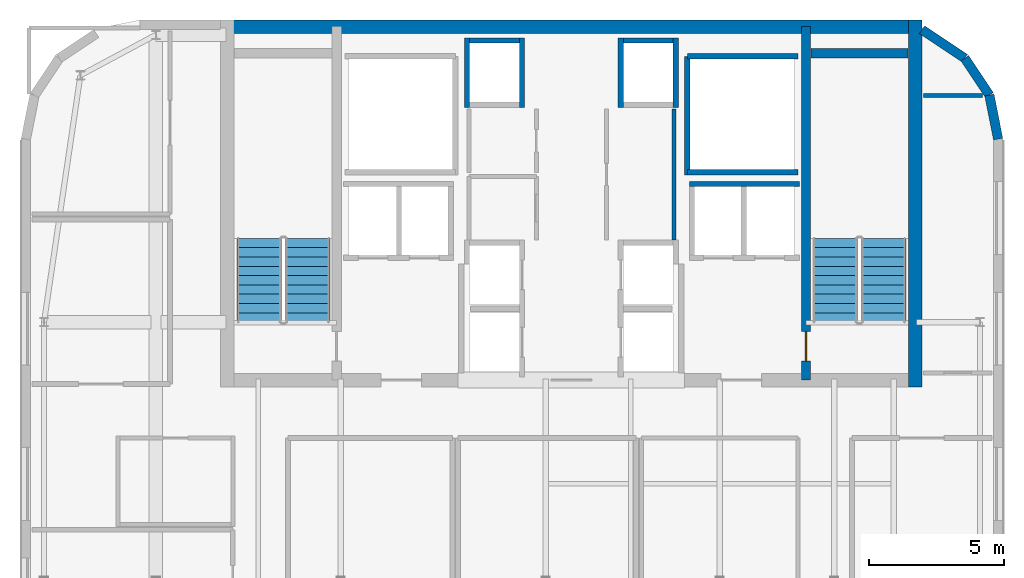
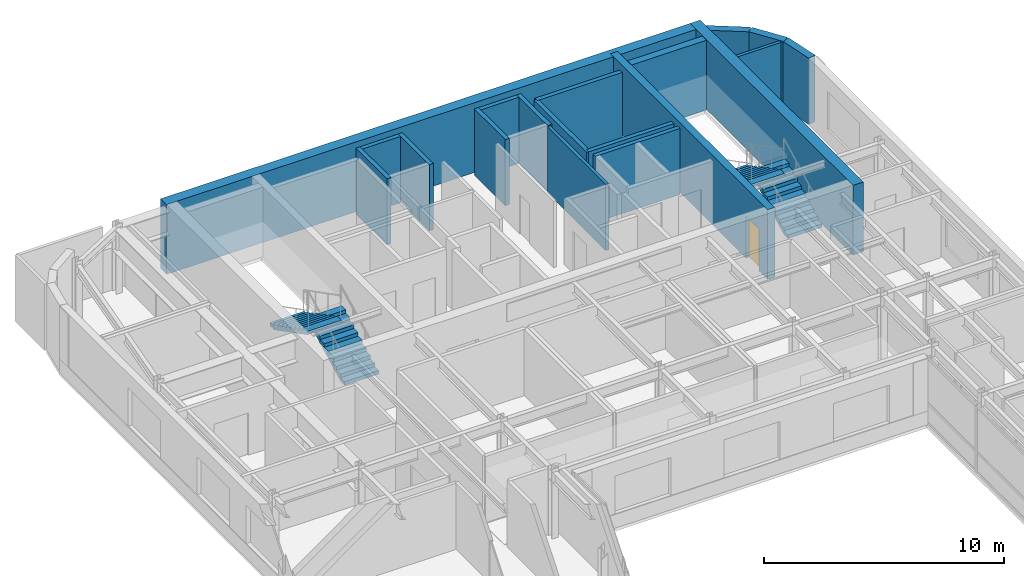
# One storey, part 17 of 21: 19 walls, 4 stair flights, 1 door, 1 opening, 2 elements without a shape of their own.
"""IFC4 building model written with IfcOpenShell, lengths in metres."""

import ifcopenshell
import ifcopenshell.guid

model = None  # the IFC model being written
_history = None  # IfcOwnerHistory: only IFC2X3 demands one
_inside = {}  # id of a spatial element -> (the spatial element, [elements in it])
_under = {}  # id of a project, library or spatial element -> (it, [spatial elements below it])
_declared = {}  # id of a project -> (the project, [libraries it declares])
_typed = {}  # id of a type object -> (the type object, [elements of that type])
_made_of = {}  # id of a material, layer set ... -> (it, [elements and type objects made of it])


def new_model(schema):
    """Start an empty IFC model of exactly this schema.

    Asked for "IFC4X3", IfcOpenShell would pick the latest addendum, in which some entities
    have other attributes; the version numbers below select the first issue.
    IFC2X3 requires an IfcOwnerHistory on every rooted entity: one is made here for all.
    """
    global model, _history
    if schema == "IFC4X3":
        model = ifcopenshell.file(schema_version=(4, 3, 0, 0))
    else:
        model = ifcopenshell.file(schema=schema)
    _inside.clear()
    _under.clear()
    _declared.clear()
    _typed.clear()
    _made_of.clear()
    _history = None
    if model.schema == "IFC2X3":
        org = make("IfcOrganization", Name="unknown")
        user = make(
            "IfcPersonAndOrganization",
            ThePerson=make("IfcPerson", FamilyName="unknown"),
            TheOrganization=org,
        )
        app = make(
            "IfcApplication",
            ApplicationDeveloper=org,
            Version="unknown",
            ApplicationFullName="unknown",
            ApplicationIdentifier="unknown",
        )
        _history = make(
            "IfcOwnerHistory",
            OwningUser=user,
            OwningApplication=app,
            ChangeAction="ADDED",
            CreationDate=0,
        )
    return model


def make(cls, **values):
    """One entity of the class cls with the attributes given. An attribute that is None is left unset."""
    return model.create_entity(
        cls, **{name: value for name, value in values.items() if value is not None}
    )


def rooted(cls, **values):
    """An entity with a GlobalId (a new one), such as an element, a storey or a relation."""
    return make(cls, GlobalId=ifcopenshell.guid.new(), OwnerHistory=_history, **values)


def si_unit(unit_type, name, prefix=None):
    """IfcSIUnit, for example si_unit("LENGTHUNIT", "METRE", prefix="MILLI")."""
    return make("IfcSIUnit", UnitType=unit_type, Prefix=prefix, Name=name)


def assignment(units):
    """IfcUnitAssignment: the units of a project."""
    return None if units is None else make("IfcUnitAssignment", Units=units)


def point(xyz):
    """IfcCartesianPoint."""
    return None if xyz is None else make("IfcCartesianPoint", Coordinates=xyz)


def direction(xyz):
    """IfcDirection."""
    return None if xyz is None else make("IfcDirection", DirectionRatios=xyz)


def frame(location, z_axis=None, x_axis=None):
    """IfcAxis2Placement3D, a coordinate frame: its origin and axes. An axis left out is left unset."""
    return make(
        "IfcAxis2Placement3D",
        Location=point(location),
        Axis=direction(z_axis),
        RefDirection=direction(x_axis),
    )


def frame_2d(location, x_axis=None):
    """IfcAxis2Placement2D, a coordinate frame in the plane: its origin and x axis."""
    return make(
        "IfcAxis2Placement2D", Location=point(location), RefDirection=direction(x_axis)
    )


def origin():
    """The frame at (0, 0, 0) with its axes left unset."""
    return frame((0.0, 0.0, 0.0))


def place(relative_to, where):
    """IfcLocalPlacement: puts the frame where relative to a parent placement (None: the world)."""
    return make(
        "IfcLocalPlacement", PlacementRelTo=relative_to, RelativePlacement=where
    )


def context(
    kind, dimensions, precision=None, world=None, true_north=None, identifier=None
):
    """IfcGeometricRepresentationContext, for example the 3D "Model" context."""
    return make(
        "IfcGeometricRepresentationContext",
        ContextIdentifier=identifier,
        ContextType=kind,
        CoordinateSpaceDimension=dimensions,
        Precision=precision,
        WorldCoordinateSystem=world,
        TrueNorth=true_north,
    )


def subcontext(parent, identifier, kind, view, scale=None):
    """IfcGeometricRepresentationSubContext, for example "Body" below "Model"."""
    return make(
        "IfcGeometricRepresentationSubContext",
        ContextIdentifier=identifier,
        ContextType=kind,
        ParentContext=parent,
        TargetScale=scale,
        TargetView=view,
    )


def project(units=None, contexts=None):
    """IfcProject with its units and contexts."""
    return rooted(
        "IfcProject",
        Name="project",
        RepresentationContexts=contexts,
        UnitsInContext=assignment(units),
    )


def spatial(cls, under=None, at=None, **own):
    """A site, building, storey or space (cls), placed at a placement, below another one or the project."""
    s = rooted(cls, ObjectPlacement=at, **own)
    if under is not None:
        _under.setdefault(under.id(), (under, []))[1].append(s)
    return s


def polyline(points):
    """IfcPolyline through the points."""
    return make("IfcPolyline", Points=[point(p) for p in points])


def profile(cls, at=None, kind="AREA", **sizes):
    """A parametric profile (cls). Its sizes go by their IFC names, for example OverallWidth=200.0."""
    return make(cls, ProfileType=kind, Position=at, **sizes)


def rectangle(**sizes):
    """IfcRectangleProfileDef."""
    return profile("IfcRectangleProfileDef", **sizes)


def outline(outer, holes=None, kind="AREA"):
    """IfcArbitraryClosedProfileDef: a profile drawn as a closed curve; with holes, ...WithVoids."""
    if holes is None:
        return make("IfcArbitraryClosedProfileDef", ProfileType=kind, OuterCurve=outer)
    return make(
        "IfcArbitraryProfileDefWithVoids",
        ProfileType=kind,
        OuterCurve=outer,
        InnerCurves=holes,
    )


def extrude(swept, where, along, depth):
    """IfcExtrudedAreaSolid: the profile swept, set in the frame where, extruded along a direction by depth."""
    return make(
        "IfcExtrudedAreaSolid",
        SweptArea=swept,
        Position=where,
        ExtrudedDirection=direction(along),
        Depth=depth,
    )


def shape(context_of_items, identifier, shape_type, items):
    """IfcShapeRepresentation: the items that make up one representation, for example the "Body"."""
    return make(
        "IfcShapeRepresentation",
        ContextOfItems=context_of_items,
        RepresentationIdentifier=identifier,
        RepresentationType=shape_type,
        Items=items,
    )


def source(mapping_origin, context_of_items, identifier, shape_type, items):
    """IfcRepresentationMap: a shape defined once, which mapped items show again and again."""
    return make(
        "IfcRepresentationMap",
        MappingOrigin=mapping_origin,
        MappedRepresentation=shape(context_of_items, identifier, shape_type, items),
    )


def transform(
    local_origin,
    x_axis=None,
    y_axis=None,
    z_axis=None,
    scale=None,
    scale2=None,
    scale3=None,
    uniform=True,
):
    """IfcCartesianTransformationOperator3D, or its non-uniform kind. x_axis, y_axis, z_axis: its Axis1, 2, 3."""
    if uniform:
        return make(
            "IfcCartesianTransformationOperator3D",
            Axis1=direction(x_axis),
            Axis2=direction(y_axis),
            LocalOrigin=point(local_origin),
            Scale=scale,
            Axis3=direction(z_axis),
        )
    return make(
        "IfcCartesianTransformationOperator3DnonUniform",
        Axis1=direction(x_axis),
        Axis2=direction(y_axis),
        LocalOrigin=point(local_origin),
        Scale=scale,
        Axis3=direction(z_axis),
        Scale2=scale2,
        Scale3=scale3,
    )


def mapped(mapping_source, mapping_target):
    """IfcMappedItem: shows the shape of a source again, moved by a transform."""
    return make(
        "IfcMappedItem", MappingSource=mapping_source, MappingTarget=mapping_target
    )


def material(Name=None, Category=None):
    """IfcMaterial."""
    return make("IfcMaterial", Name=Name, Category=Category)


def layer(
    of_material, thickness, ventilated=None, Name=None, Category=None, Priority=None
):
    """IfcMaterialLayer: one layer of a wall or slab, of a material (None: an air gap)."""
    return make(
        "IfcMaterialLayer",
        Material=of_material,
        LayerThickness=thickness,
        IsVentilated=ventilated,
        Name=Name,
        Category=Category,
        Priority=Priority,
    )


def layer_set(layers, Name=None):
    """IfcMaterialLayerSet."""
    return make("IfcMaterialLayerSet", MaterialLayers=layers, LayerSetName=Name)


def made_of(thing, what):
    """Note that an element or type object is made of a material, layer set ...; save() writes the relation."""
    if what is not None:
        _made_of.setdefault(what.id(), (what, []))[1].append(thing)
    return thing


def type_object(cls, material=None, **own):
    """A type object (cls), such as IfcWallType, which elements share."""
    return made_of(rooted(cls, **own), material)


def type_shapes(of_type, sources):
    """Give a type object the sources (RepresentationMaps) that its elements show as mapped items."""
    of_type.RepresentationMaps = sources


def element(
    cls,
    number,
    at=None,
    inside=None,
    cuts=None,
    type_object=None,
    material=None,
    context=None,
    identifier="Body",
    shape_type=None,
    held_by="IfcProductDefinitionShape",
    body=None,
    shapes=None,
    **own,
):
    """One element of the class cls, such as IfcWall. Its Tag is "e" and its number.

    at: its placement. inside: the storey or other place that contains it. cuts: it is an
    opening in that element (IfcRelVoidsElement). A single representation is given by context,
    identifier, shape_type and body (its items); several are given by shapes. held_by: the class
    of the entity that holds the representations. save() writes the other relations.
    """
    e = rooted(cls, Tag="e%d" % number, ObjectPlacement=at, **own)
    if body is not None:
        shapes = [shape(context, identifier, shape_type, body)]
    if shapes is not None:
        e.Representation = make(held_by, Representations=shapes)
    if inside is not None:
        _inside.setdefault(inside.id(), (inside, []))[1].append(e)
    if cuts is not None:
        rooted(
            "IfcRelVoidsElement", RelatingBuildingElement=cuts, RelatedOpeningElement=e
        )
    if type_object is not None:
        _typed.setdefault(type_object.id(), (type_object, []))[1].append(e)
    return made_of(e, material)


def fill(opening, filler):
    """IfcRelFillsElement: the door or window that sits in an opening."""
    return rooted(
        "IfcRelFillsElement",
        RelatingOpeningElement=opening,
        RelatedBuildingElement=filler,
    )


def aggregate(whole, parts):
    """IfcRelAggregates: a whole, such as a stair, and the parts it consists of."""
    return rooted("IfcRelAggregates", RelatingObject=whole, RelatedObjects=parts)


def save(model, path):
    """Write the relations noted so far, then the file.

    IfcRelAggregates (storeys below a building ...), IfcRelContainedInSpatialStructure (elements
    in a storey), IfcRelDefinesByType, IfcRelAssociatesMaterial and IfcRelDeclares: one each for
    every whole, place, type object, material and project.
    """
    for whole, parts in _under.values():
        aggregate(whole, parts)
    for where, things in _inside.values():
        rooted(
            "IfcRelContainedInSpatialStructure",
            RelatedElements=things,
            RelatingStructure=where,
        )
    for kind, things in _typed.values():
        rooted("IfcRelDefinesByType", RelatedObjects=things, RelatingType=kind)
    for what, things in _made_of.values():
        rooted("IfcRelAssociatesMaterial", RelatedObjects=things, RelatingMaterial=what)
    for by, libraries in _declared.values():
        rooted("IfcRelDeclares", RelatingContext=by, RelatedDefinitions=libraries)
    model.write(path)


model = new_model("IFC4")

# Units and contexts
model_context = context("Model", 3, precision=1e-05, world=origin(), true_north=direction((0.0, 1.0)))
body_context = subcontext(model_context, "Body", "Model", "MODEL_VIEW")
ifc_project = project(units=[si_unit("LENGTHUNIT", "METRE"), si_unit("AREAUNIT", "SQUARE_METRE"), si_unit("VOLUMEUNIT", "CUBIC_METRE"), si_unit("PLANEANGLEUNIT", "RADIAN"), si_unit("MASSUNIT", "GRAM", prefix="KILO")], contexts=[model_context])

# Site, building, storey
site_placement = place(None, origin())
site = spatial("IfcSite", under=ifc_project, at=site_placement, CompositionType="ELEMENT")
building_placement = place(site_placement, origin())
building = spatial("IfcBuilding", under=site, at=building_placement, Name="Tolvann Quenvar Hotel", CompositionType="ELEMENT")
storey_placement = place(building_placement, frame((0.0, 0.0, 255.85009765625)))
storey = spatial("IfcBuildingStorey", under=building, at=storey_placement, Name="L68", CompositionType="ELEMENT", Elevation=255.85009765625)

# Walls
ifc_material_1 = material(Name="Concrete N50 (50 MPa)", Category="concrete")
ifc_layer_1 = layer(ifc_material_1, 0.5)
ifc_layer_set_1 = layer_set([ifc_layer_1], Name="Concrete N50 (50 MPa)")
wall_type_1 = type_object("IfcWallType", Name="WALL_CORE_500", PredefinedType="SHEAR", material=ifc_layer_set_1)
wall_1_placement = place(storey_placement, frame((10.0, 44.949951171875, 0.0), z_axis=(0.0, 0.0, 1.0), x_axis=(1.0, 0.0, 0.0)))
element("IfcWall", 1, at=wall_1_placement, inside=storey, type_object=wall_type_1, Name="Rear Core N Shear Wall (L68)", PredefinedType="SHEAR", context=body_context, shape_type="SweptSolid", body=[
    extrude(rectangle(XDim=26.0, YDim=0.5, at=frame_2d((13.0, 0.0))), origin(), (0.0, 0.0, 1.0), 3.5498046875),
])
wall_2_placement = place(storey_placement, frame((35.75, 31.60009765625, 0.0), z_axis=(0.0, 0.0, 1.0), x_axis=(0.0, 1.0, 0.0)))
element("IfcWall", 2, at=wall_2_placement, inside=storey, type_object=wall_type_1, Name="Rear Core E Shear Wall (L68)", PredefinedType="SHEAR", context=body_context, shape_type="SweptSolid", body=[
    extrude(rectangle(XDim=13.599853515625, YDim=0.5, at=frame_2d((6.7998046875, 0.0))), origin(), (0.0, 0.0, 1.0), 3.5498046875),
])

# Wall, opening, door
ifc_material_2 = material(Name="Concrete S65 (65 MPa)", Category="concrete")
ifc_layer_2 = layer(ifc_material_2, 0.35009765625)
ifc_layer_set_2 = layer_set([ifc_layer_2], Name="Concrete S65 (65 MPa)")
wall_type_2 = type_object("IfcWallType", Name="WALL_CORE_INT_350", PredefinedType="SHEAR", material=ifc_layer_set_2)
wall_3_placement = place(storey_placement, frame((31.699951171875, 31.85009765625, 0.0), z_axis=(0.0, 0.0, 1.0), x_axis=(0.0, 1.0, 0.0)))
wall_3 = element("IfcWall", 3, at=wall_3_placement, inside=storey, type_object=wall_type_2, Name="Core Internal Web Shear Wall WEB-E (L68)", PredefinedType="SHEAR", context=body_context, shape_type="SweptSolid", body=[
    extrude(rectangle(XDim=13.099853515625, YDim=0.35009765625, at=frame_2d((6.5498046875, 0.0))), origin(), (0.0, 0.0, 1.0), 3.5498046875),
])
opening_placement = place(wall_3_placement, frame((1.800048828125, 0.0, 0.0), z_axis=(0.0, 0.0, 1.0), x_axis=(-1.0, 0.0, 0.0)))
opening = element("IfcOpeningElement", 4, at=opening_placement, cuts=wall_3, Name="Opening FD-120", PredefinedType="OPENING", context=body_context, shape_type="SweptSolid", body=[
    extrude(rectangle(XDim=1.10009765625, YDim=2.1201171875, at=frame_2d((0.550048828125, 1.06005859375))), frame((0.0, 0.18505859375, 0.0), z_axis=(0.0, -1.0, 0.0), x_axis=(1.0, 0.0, 0.0)), (0.0, 0.0, 1.0), 0.3701171875),
])
ifc_material_3 = material(Name="Pressed galvanised steel fire-rated door set", Category="steel")
door_type = type_object("IfcDoorType", Name="DOOR_FIRE_STAIR_1100", OperationType="NOTDEFINED", PredefinedType="DOOR", material=ifc_material_3)
shared_shape = source(origin(), body_context, "Body", "SweptSolid", [
    extrude(rectangle(XDim=1.10009765625, YDim=2.1201171875, at=frame_2d((0.550048828125, 1.06005859375))), frame((0.0, 0.02490234375, 0.0), z_axis=(0.0, -1.0, 0.0), x_axis=(1.0, 0.0, 0.0)), (0.0, 0.0, 1.0), 0.050048828125),
])
type_shapes(door_type, [shared_shape])
door_placement = place(opening_placement, origin())
door = element("IfcDoor", 5, at=door_placement, inside=storey, type_object=door_type, Name="Exit Stair ST-C2 Fire Door (L68)", OperationType="SINGLE_SWING_RIGHT", OverallHeight=2.1201171875, OverallWidth=1.10009765625, PredefinedType="DOOR", context=body_context, shape_type="MappedRepresentation", body=[
    mapped(shared_shape, transform((0.0, 0.0, 0.0), x_axis=(1.0, 0.0, 0.0), y_axis=(0.0, 1.0, 0.0), z_axis=(0.0, 0.0, 1.0), scale=1.0)),
])
fill(opening, door)

# Walls
wall_4_placement = place(storey_placement, frame((31.8798828125, 43.97509765625, 0.0), z_axis=(0.0, 0.0, 1.0), x_axis=(1.0, 0.0, 0.0)))
element("IfcWall", 6, at=wall_4_placement, inside=storey, type_object=wall_type_2, Name="Core Stair North Closing Shear Wall STC2-N (L68)", PredefinedType="SHEAR", context=body_context, shape_type="SweptSolid", body=[
    extrude(rectangle(XDim=3.60009765625, YDim=0.35009765625, at=frame_2d((1.800048828125, 0.0))), origin(), (0.0, 0.0, 1.0), 3.5498046875),
])
ifc_material_4 = material(Name="Kiln-fired red and buff architectural clay brickwork and terracotta masonry", Category="masonry")
ifc_layer_3 = layer(ifc_material_4, 0.35009765625)
ifc_layer_set_3 = layer_set([ifc_layer_3], Name="Kiln-fired red and buff architectural clay brickwork and terracotta masonry")
wall_type_3 = type_object("IfcWallType", Name="WALL_EXT_BRICK_350", PredefinedType="SOLIDWALL", material=ifc_layer_set_3)
wall_5_placement = place(storey_placement, frame((38.824951171875, 40.78271484375, 0.0), z_axis=(0.0, 0.0, 1.0), x_axis=(-0.195044345786, 0.980794424524, 0.0)))
element("IfcWall", 7, at=wall_5_placement, inside=storey, type_object=wall_type_3, Name="Exterior Chicago Brick Wall L68-E14", PredefinedType="SOLIDWALL", context=body_context, shape_type="SweptSolid", body=[
    extrude(rectangle(XDim=1.664794921875, YDim=0.35009765625, at=frame_2d((0.83251953125, 0.0))), origin(), (0.0, 0.0, 1.0), 3.369873046875),
])
wall_6_placement = place(storey_placement, frame((38.500244140625, 42.41552734375, 0.0), z_axis=(0.0, 0.0, 1.0), x_axis=(-0.555520825599, 0.831502623162, 0.0)))
element("IfcWall", 8, at=wall_6_placement, inside=storey, type_object=wall_type_3, Name="Exterior Chicago Brick Wall L68-E15", PredefinedType="SOLIDWALL", context=body_context, shape_type="SweptSolid", body=[
    extrude(rectangle(XDim=1.647216796875, YDim=0.35009765625, at=frame_2d((0.82373046875, 0.0))), origin(), (0.0, 0.0, 1.0), 3.369873046875),
])
wall_7_placement = place(storey_placement, frame((37.585205078125, 43.78515625, 0.0), z_axis=(0.0, 0.0, 1.0), x_axis=(-0.831516639465, 0.555499845448, 0.0)))
element("IfcWall", 9, at=wall_7_placement, inside=storey, type_object=wall_type_3, Name="Exterior Chicago Brick Wall L68-E16", PredefinedType="SOLIDWALL", context=body_context, shape_type="SweptSolid", body=[
    extrude(rectangle(XDim=1.901611328125, YDim=0.35009765625, at=frame_2d((0.95068359375, 0.0))), origin(), (0.0, 0.0, 1.0), 3.369873046875),
])
ifc_material_5 = material(Name="Acoustic twin-stud fire-rated gypsum plasterboard partition")
ifc_layer_4 = layer(ifc_material_5, 0.14990234375)
ifc_layer_set_4 = layer_set([ifc_layer_4], Name="Acoustic twin-stud fire-rated gypsum plasterboard partition")
wall_type_4 = type_object("IfcWallType", Name="WALL_PART_SUITE_150", PredefinedType="PARTITIONING", material=ifc_layer_set_4)
wall_8_placement = place(storey_placement, frame((26.800048828125, 37.0400390625, 0.0), z_axis=(0.0, 0.0, 1.0), x_axis=(0.0, 1.0, 0.0)))
element("IfcWall", 10, at=wall_8_placement, inside=storey, type_object=wall_type_4, Name="Interior Partition PT-SPC-L68-RECPM-3-E", PredefinedType="PARTITIONING", context=body_context, shape_type="SweptSolid", body=[
    extrude(rectangle(XDim=4.85986328125, YDim=0.14990234375, at=frame_2d((2.429931640625, 0.0))), origin(), (0.0, 0.0, 1.0), 3.369873046875),
])
wall_9_placement = place(storey_placement, frame((36.054931640625, 42.39990234375, 0.0), z_axis=(0.0, 0.0, 1.0), x_axis=(1.0, 0.0, 0.0)))
element("IfcWall", 11, at=wall_9_placement, inside=storey, type_object=wall_type_4, Name="Interior Partition PT-SPC-L68-RECPL-P-N", PredefinedType="PARTITIONING", context=body_context, shape_type="SweptSolid", body=[
    extrude(rectangle(XDim=2.178955078125, YDim=0.14990234375, at=frame_2d((1.08935546875, 0.0))), origin(), (0.0, 0.0, 1.0), 3.369873046875),
])
ifc_material_6 = material(Name="Concrete N40 (40 MPa)", Category="concrete")
ifc_layer_5 = layer(ifc_material_6, 0.199951171875)
ifc_layer_set_5 = layer_set([ifc_layer_5], Name="Concrete N40 (40 MPa)")
wall_type_5 = type_object("IfcWallType", Name="WALL_SHAFT_200", PredefinedType="SOLIDWALL", material=ifc_layer_set_5)
wall_10_placement = place(storey_placement, frame((27.300048828125, 39.449951171875, 0.0), z_axis=(0.0, 0.0, 1.0), x_axis=(0.0, 1.0, 0.0)))
element("IfcWall", 12, at=wall_10_placement, inside=storey, type_object=wall_type_5, Name="Service Riser E Shaft Wall IN (L68)", PredefinedType="SOLIDWALL", context=body_context, shape_type="SweptSolid", body=[
    extrude(rectangle(XDim=4.400146484375, YDim=0.199951171875, at=frame_2d((2.2001953125, 0.0))), origin(), (0.0, 0.0, 1.0), 3.369873046875),
])
for number, where, z_axis, x_axis, name in (
    (13, (27.300048828125, 39.550048828125, 0.0), (0.0, 0.0, 1.0), (1.0, 0.0, 0.0), "Service Riser E Shaft Wall S (L68)"),
    (14, (27.300048828125, 43.85009765625, 0.0), (0.0, 0.0, 1.0), (1.0, 0.0, 0.0), "Service Riser E Shaft Wall N (L68)"),
):
    element("IfcWall", number, at=place(storey_placement, frame(where, z_axis=z_axis, x_axis=x_axis)), inside=storey, type_object=wall_type_5, Name=name, PredefinedType="SOLIDWALL", context=body_context, shape_type="SweptSolid", body=[
        extrude(rectangle(XDim=4.099853515625, YDim=0.199951171875, at=frame_2d((2.0498046875, 0.0))), origin(), (0.0, 0.0, 1.0), 3.369873046875),
    ])
for number, where, z_axis, x_axis, name in (
    (15, (21.169921875, 41.9599609375, 0.0), (0.0, 0.0, 1.0), (0.0, 1.0, 0.0), "Lift Bank E21.1C2 Hoistway Front Wall (L68)"),
    (16, (19.1298828125, 41.9599609375, 0.0), (0.0, 0.0, 1.0), (0.0, 1.0, 0.0), "Lift Bank E21.1C2 Hoistway Rear Wall (L68)"),
):
    element("IfcWall", number, at=place(storey_placement, frame(where, z_axis=z_axis, x_axis=x_axis)), inside=storey, type_object=wall_type_5, Name=name, PredefinedType="SOLIDWALL", context=body_context, shape_type="SweptSolid", body=[
        extrude(rectangle(XDim=2.580078125, YDim=0.199951171875, at=frame_2d((1.2900390625, 0.0))), origin(), (0.0, 0.0, 1.0), 3.369873046875),
    ])
wall_11_placement = place(storey_placement, frame((19.22998046875, 44.43994140625, 0.0), z_axis=(0.0, 0.0, 1.0), x_axis=(1.0, 0.0, 0.0)))
element("IfcWall", 17, at=wall_11_placement, inside=storey, type_object=wall_type_5, Name="Lift Bank E21.1C2 Hoistway Cheek Wall 2 (L68)", PredefinedType="SOLIDWALL", context=body_context, shape_type="SweptSolid", body=[
    extrude(rectangle(XDim=1.840087890625, YDim=0.199951171875, at=frame_2d((0.919921875, 0.0))), origin(), (0.0, 0.0, 1.0), 3.369873046875),
])
wall_12_placement = place(storey_placement, frame((27.375, 39.1201171875, 0.0), z_axis=(0.0, 0.0, 1.0), x_axis=(1.0, 0.0, 0.0)))
element("IfcWall", 18, at=wall_12_placement, inside=storey, type_object=wall_type_5, Name="Lift Bank SEC1 Hoistway Rear Wall (L68)", PredefinedType="SOLIDWALL", context=body_context, shape_type="SweptSolid", body=[
    extrude(rectangle(XDim=4.074951171875, YDim=0.199951171875, at=frame_2d((2.03759765625, 0.0))), origin(), (0.0, 0.0, 1.0), 3.369873046875),
])
for number, where, z_axis, x_axis, name in (
    (19, (24.830078125, 41.9599609375, 0.0), (0.0, 0.0, 1.0), (0.0, 1.0, 0.0), "Lift Bank W24.9C2 Hoistway Front Wall (L68)"),
    (20, (26.8701171875, 41.9599609375, 0.0), (0.0, 0.0, 1.0), (0.0, 1.0, 0.0), "Lift Bank W24.9C2 Hoistway Rear Wall (L68)"),
):
    element("IfcWall", number, at=place(storey_placement, frame(where, z_axis=z_axis, x_axis=x_axis)), inside=storey, type_object=wall_type_5, Name=name, PredefinedType="SOLIDWALL", context=body_context, shape_type="SweptSolid", body=[
        extrude(rectangle(XDim=2.580078125, YDim=0.199951171875, at=frame_2d((1.2900390625, 0.0))), origin(), (0.0, 0.0, 1.0), 3.369873046875),
    ])
wall_13_placement = place(storey_placement, frame((24.929931640625, 44.43994140625, 0.0), z_axis=(0.0, 0.0, 1.0), x_axis=(1.0, 0.0, 0.0)))
element("IfcWall", 21, at=wall_13_placement, inside=storey, type_object=wall_type_5, Name="Lift Bank W24.9C2 Hoistway Cheek Wall 2 (L68)", PredefinedType="SOLIDWALL", context=body_context, shape_type="SweptSolid", body=[
    extrude(rectangle(XDim=1.840087890625, YDim=0.199951171875, at=frame_2d((0.919921875, 0.0))), origin(), (0.0, 0.0, 1.0), 3.369873046875),
])

# Stair, stair flights
stair_type = type_object("IfcStairType", Name="STAIR", PredefinedType="HALF_TURN_STAIR", material=ifc_material_6)
stair_1_placement = place(storey_placement, origin())
stair_1 = element("IfcStair", 22, at=stair_1_placement, inside=storey, type_object=stair_type, Name="L68 ST-C1", PredefinedType="HALF_TURN_STAIR")
stair_flight_type = type_object("IfcStairFlightType", Name="STAIR_FLIGHT", PredefinedType="STRAIGHT", material=ifc_material_6)
stair_flight_1_placement = place(storey_placement, frame((13.22509765625, 34.0, 0.0), z_axis=(0.0, 0.0, 1.0), x_axis=(0.0, 1.0, 0.0)))
stair_flight_1 = element("IfcStairFlight", 23, at=stair_flight_1_placement, type_object=stair_flight_type, Name="ST-C1 flight 1", NumberOfRisers=10, NumberOfTreads=9, PredefinedType="STRAIGHT", RiserHeight=0.1775, TreadLength=0.345, context=body_context, shape_type="SweptSolid", body=[
    extrude(outline(polyline([(0.0, 0.0), (0.0, 0.177490234375), (0.344970703125, 0.177490234375), (0.344970703125, 0.35498046875), (0.68994140625, 0.35498046875), (0.68994140625, 0.532470703125), (1.034912109375, 0.532470703125), (1.034912109375, 0.7099609375), (1.3798828125, 0.7099609375), (1.3798828125, 0.887451171875), (1.72509765625, 0.887451171875), (1.72509765625, 1.06494140625), (2.070068359375, 1.06494140625), (2.070068359375, 1.242431640625), (2.4150390625, 1.242431640625), (2.4150390625, 1.419921875), (2.760009765625, 1.419921875), (2.760009765625, 1.597412109375), (3.10498046875, 1.597412109375), (3.10498046875, 1.77490234375), (3.10498046875, 1.428955078125), (0.32763671875, 0.0), (0.0, 0.0)])), frame((0.0, 0.824951171875, 0.0), z_axis=(0.0, -1.0, 0.0), x_axis=(1.0, 0.0, 0.0)), (0.0, 0.0, 1.0), 1.64990234375),
])
stair_flight_2_placement = place(storey_placement, frame((11.425048828125, 37.10498046875, 1.77490234375), z_axis=(0.0, 0.0, 1.0), x_axis=(0.0, -1.0, 0.0)))
stair_flight_2 = element("IfcStairFlight", 24, at=stair_flight_2_placement, type_object=stair_flight_type, Name="ST-C1 flight 2", NumberOfRisers=10, NumberOfTreads=9, PredefinedType="STRAIGHT", RiserHeight=0.1775, TreadLength=0.345, context=body_context, shape_type="SweptSolid", body=[
    extrude(outline(polyline([(0.0, 0.0), (0.0, 0.177490234375), (0.344970703125, 0.177490234375), (0.344970703125, 0.35498046875), (0.68994140625, 0.35498046875), (0.68994140625, 0.532470703125), (1.034912109375, 0.532470703125), (1.034912109375, 0.7099609375), (1.3798828125, 0.7099609375), (1.3798828125, 0.887451171875), (1.72509765625, 0.887451171875), (1.72509765625, 1.06494140625), (2.070068359375, 1.06494140625), (2.070068359375, 1.242431640625), (2.4150390625, 1.242431640625), (2.4150390625, 1.419921875), (2.760009765625, 1.419921875), (2.760009765625, 1.597412109375), (3.10498046875, 1.597412109375), (3.10498046875, 1.77490234375), (3.10498046875, 1.428955078125), (0.32763671875, 0.0), (0.0, 0.0)])), frame((0.0, 0.824951171875, 0.0), z_axis=(0.0, -1.0, 0.0), x_axis=(1.0, 0.0, 0.0)), (0.0, 0.0, 1.0), 1.64990234375),
])
aggregate(stair_1, [stair_flight_1, stair_flight_2])

stair_2_placement = place(storey_placement, origin())
stair_2 = element("IfcStair", 25, at=stair_2_placement, inside=storey, type_object=stair_type, Name="L68 ST-C2", PredefinedType="HALF_TURN_STAIR")
stair_flight_3_placement = place(storey_placement, frame((34.574951171875, 34.0, 0.0), z_axis=(0.0, 0.0, 1.0), x_axis=(0.0, 1.0, 0.0)))
stair_flight_3 = element("IfcStairFlight", 26, at=stair_flight_3_placement, type_object=stair_flight_type, Name="ST-C2 flight 1", NumberOfRisers=10, NumberOfTreads=9, PredefinedType="STRAIGHT", RiserHeight=0.1775, TreadLength=0.345, context=body_context, shape_type="SweptSolid", body=[
    extrude(outline(polyline([(0.0, 0.0), (0.0, 0.177490234375), (0.344970703125, 0.177490234375), (0.344970703125, 0.35498046875), (0.68994140625, 0.35498046875), (0.68994140625, 0.532470703125), (1.034912109375, 0.532470703125), (1.034912109375, 0.7099609375), (1.3798828125, 0.7099609375), (1.3798828125, 0.887451171875), (1.72509765625, 0.887451171875), (1.72509765625, 1.06494140625), (2.070068359375, 1.06494140625), (2.070068359375, 1.242431640625), (2.4150390625, 1.242431640625), (2.4150390625, 1.419921875), (2.760009765625, 1.419921875), (2.760009765625, 1.597412109375), (3.10498046875, 1.597412109375), (3.10498046875, 1.77490234375), (3.10498046875, 1.428955078125), (0.32763671875, 0.0), (0.0, 0.0)])), frame((0.0, 0.824951171875, 0.0), z_axis=(0.0, -1.0, 0.0), x_axis=(1.0, 0.0, 0.0)), (0.0, 0.0, 1.0), 1.64990234375),
])
stair_flight_4_placement = place(storey_placement, frame((32.77490234375, 37.10498046875, 1.77490234375), z_axis=(0.0, 0.0, 1.0), x_axis=(0.0, -1.0, 0.0)))
stair_flight_4 = element("IfcStairFlight", 27, at=stair_flight_4_placement, type_object=stair_flight_type, Name="ST-C2 flight 2", NumberOfRisers=10, NumberOfTreads=9, PredefinedType="STRAIGHT", RiserHeight=0.1775, TreadLength=0.345, context=body_context, shape_type="SweptSolid", body=[
    extrude(outline(polyline([(0.0, 0.0), (0.0, 0.177490234375), (0.344970703125, 0.177490234375), (0.344970703125, 0.35498046875), (0.68994140625, 0.35498046875), (0.68994140625, 0.532470703125), (1.034912109375, 0.532470703125), (1.034912109375, 0.7099609375), (1.3798828125, 0.7099609375), (1.3798828125, 0.887451171875), (1.72509765625, 0.887451171875), (1.72509765625, 1.06494140625), (2.070068359375, 1.06494140625), (2.070068359375, 1.242431640625), (2.4150390625, 1.242431640625), (2.4150390625, 1.419921875), (2.760009765625, 1.419921875), (2.760009765625, 1.597412109375), (3.10498046875, 1.597412109375), (3.10498046875, 1.77490234375), (3.10498046875, 1.428955078125), (0.32763671875, 0.0), (0.0, 0.0)])), frame((0.0, 0.824951171875, 0.0), z_axis=(0.0, -1.0, 0.0), x_axis=(1.0, 0.0, 0.0)), (0.0, 0.0, 1.0), 1.64990234375),
])
aggregate(stair_2, [stair_flight_3, stair_flight_4])

save(model, "model.ifc")
